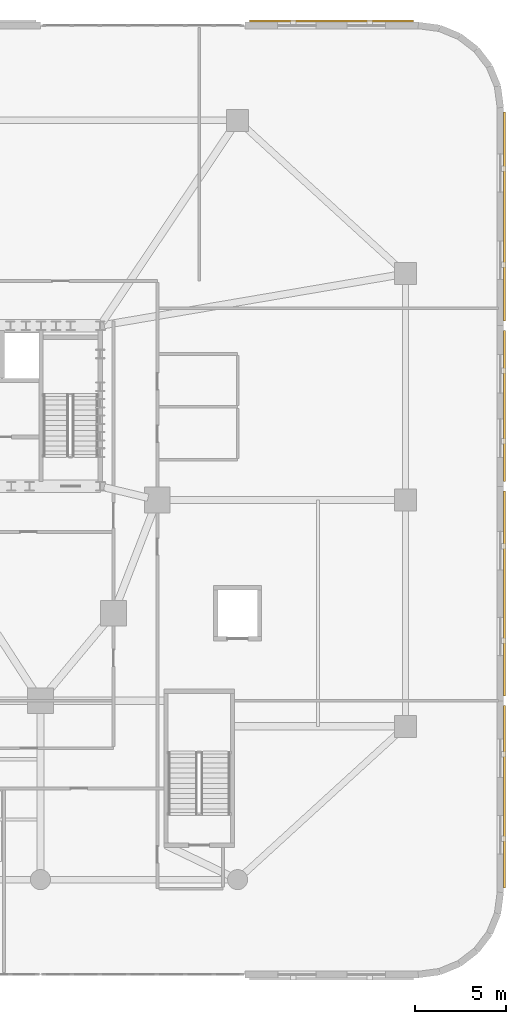
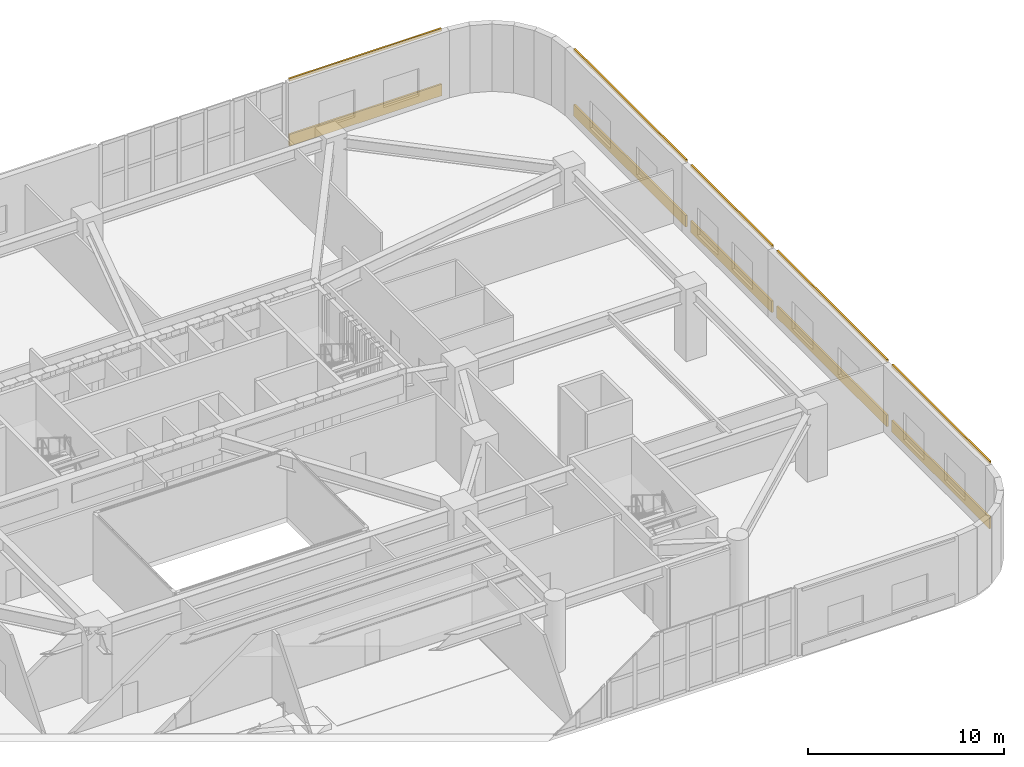
# One storey, part 25 of 25: 10 coverings.
"""IFC4 building model written with IfcOpenShell, lengths in metres."""

from ifc_helpers import new_model, si_unit, direction, frame, origin, place, context, subcontext, project, spatial, polyline, outline, extrude, material, layer, layer_set, type_object, element, save


model = new_model("IFC4")

# Units and contexts
model_context = context("Model", 3, precision=1e-05, world=origin(), true_north=direction((0.0, 1.0)))
body_context = subcontext(model_context, "Body", "Model", "MODEL_VIEW")
ifc_project = project(units=[si_unit("LENGTHUNIT", "METRE"), si_unit("AREAUNIT", "SQUARE_METRE"), si_unit("VOLUMEUNIT", "CUBIC_METRE"), si_unit("PLANEANGLEUNIT", "RADIAN"), si_unit("MASSUNIT", "GRAM", prefix="KILO")], contexts=[model_context])

# Site, building, storey
site_placement = place(None, origin())
site = spatial("IfcSite", under=ifc_project, at=site_placement, CompositionType="ELEMENT")
building_placement = place(site_placement, origin())
building = spatial("IfcBuilding", under=site, at=building_placement, Name="Haldorwick Loom Tower", CompositionType="ELEMENT")
storey_placement = place(building_placement, frame((0.0, 0.0, 6.0)))
storey = spatial("IfcBuildingStorey", under=building, at=storey_placement, Name="L01", CompositionType="ELEMENT", Elevation=6.0)

# Coverings
ifc_material = material(Name="Corbelled Pressed Clay Face Brick Veneer", Category="masonry")
ifc_layer = layer(ifc_material, 0.110107421875, Name="Corbelled Pressed Clay Face Brick Veneer", Category="masonry")
ifc_layer_set = layer_set([ifc_layer], Name="Corbelled Pressed Clay Face Brick Veneer")
covering_type = type_object("IfcCoveringType", Name="ARC-COV-BRICK110", PredefinedType="CLADDING", material=ifc_layer_set)
covering_1_placement = place(storey_placement, origin())
element("IfcCovering", 1, at=covering_1_placement, inside=storey, type_object=covering_type, Name="L01 Sill Face-Brick Spandrel 7", PredefinedType="CLADDING", context=body_context, shape_type="SweptSolid", body=[
    extrude(outline(polyline([(72.2900390625, 4.75), (72.2900390625, 14.75), (72.179931640625, 14.75), (72.179931640625, 4.75), (72.2900390625, 4.75)])), origin(), (0.0, 0.0, 1.0), 0.719970703125),
])
covering_2_placement = place(storey_placement, frame((0.0, 0.0, 4.0400390625)))
element("IfcCovering", 2, at=covering_2_placement, inside=storey, type_object=covering_type, Name="L01 Head Face-Brick Lintel Band 7", PredefinedType="CLADDING", context=body_context, shape_type="SweptSolid", body=[
    extrude(outline(polyline([(72.2900390625, 4.75), (72.2900390625, 14.75), (72.179931640625, 14.75), (72.179931640625, 4.75), (72.2900390625, 4.75)])), origin(), (0.0, 0.0, 1.0), 0.159912109375),
])
covering_3_placement = place(storey_placement, origin())
element("IfcCovering", 3, at=covering_3_placement, inside=storey, type_object=covering_type, Name="L01 Sill Face-Brick Spandrel 8", PredefinedType="CLADDING", context=body_context, shape_type="SweptSolid", body=[
    extrude(outline(polyline([(72.2900390625, 15.25), (72.2900390625, 26.5), (72.179931640625, 26.5), (72.179931640625, 15.25), (72.2900390625, 15.25)])), origin(), (0.0, 0.0, 1.0), 0.719970703125),
])
covering_4_placement = place(storey_placement, frame((0.0, 0.0, 4.0400390625)))
element("IfcCovering", 4, at=covering_4_placement, inside=storey, type_object=covering_type, Name="L01 Head Face-Brick Lintel Band 8", PredefinedType="CLADDING", context=body_context, shape_type="SweptSolid", body=[
    extrude(outline(polyline([(72.2900390625, 15.25), (72.2900390625, 26.5), (72.179931640625, 26.5), (72.179931640625, 15.25), (72.2900390625, 15.25)])), origin(), (0.0, 0.0, 1.0), 0.159912109375),
])
covering_5_placement = place(storey_placement, origin())
element("IfcCovering", 5, at=covering_5_placement, inside=storey, type_object=covering_type, Name="L01 Sill Face-Brick Spandrel 9", PredefinedType="CLADDING", context=body_context, shape_type="SweptSolid", body=[
    extrude(outline(polyline([(72.2900390625, 27.0), (72.2900390625, 35.300048828125), (72.179931640625, 35.300048828125), (72.179931640625, 27.0), (72.2900390625, 27.0)])), origin(), (0.0, 0.0, 1.0), 0.719970703125),
])
covering_6_placement = place(storey_placement, frame((0.0, 0.0, 4.0400390625)))
element("IfcCovering", 6, at=covering_6_placement, inside=storey, type_object=covering_type, Name="L01 Head Face-Brick Lintel Band 9", PredefinedType="CLADDING", context=body_context, shape_type="SweptSolid", body=[
    extrude(outline(polyline([(72.2900390625, 27.0), (72.2900390625, 35.300048828125), (72.179931640625, 35.300048828125), (72.179931640625, 27.0), (72.2900390625, 27.0)])), origin(), (0.0, 0.0, 1.0), 0.159912109375),
])
covering_7_placement = place(storey_placement, origin())
element("IfcCovering", 7, at=covering_7_placement, inside=storey, type_object=covering_type, Name="L01 Sill Face-Brick Spandrel 10", PredefinedType="CLADDING", context=body_context, shape_type="SweptSolid", body=[
    extrude(outline(polyline([(72.2900390625, 35.800048828125), (72.2900390625, 47.25), (72.179931640625, 47.25), (72.179931640625, 35.800048828125), (72.2900390625, 35.800048828125)])), origin(), (0.0, 0.0, 1.0), 0.719970703125),
])
covering_8_placement = place(storey_placement, frame((0.0, 0.0, 4.0400390625)))
element("IfcCovering", 8, at=covering_8_placement, inside=storey, type_object=covering_type, Name="L01 Head Face-Brick Lintel Band 10", PredefinedType="CLADDING", context=body_context, shape_type="SweptSolid", body=[
    extrude(outline(polyline([(72.2900390625, 35.800048828125), (72.2900390625, 47.25), (72.179931640625, 47.25), (72.179931640625, 35.800048828125), (72.2900390625, 35.800048828125)])), origin(), (0.0, 0.0, 1.0), 0.159912109375),
])
covering_9_placement = place(storey_placement, origin())
element("IfcCovering", 9, at=covering_9_placement, inside=storey, type_object=covering_type, Name="L01 Sill Face-Brick Spandrel 17", PredefinedType="CLADDING", context=body_context, shape_type="SweptSolid", body=[
    extrude(outline(polyline([(67.25, 52.2900390625), (58.25, 52.2900390625), (58.25, 52.179931640625), (67.25, 52.179931640625), (67.25, 52.2900390625)])), origin(), (0.0, 0.0, 1.0), 0.719970703125),
])
covering_10_placement = place(storey_placement, frame((0.0, 0.0, 4.0400390625)))
element("IfcCovering", 10, at=covering_10_placement, inside=storey, type_object=covering_type, Name="L01 Head Face-Brick Lintel Band 17", PredefinedType="CLADDING", context=body_context, shape_type="SweptSolid", body=[
    extrude(outline(polyline([(67.25, 52.2900390625), (58.25, 52.2900390625), (58.25, 52.179931640625), (67.25, 52.179931640625), (67.25, 52.2900390625)])), origin(), (0.0, 0.0, 1.0), 0.159912109375),
])

save(model, "model.ifc")
